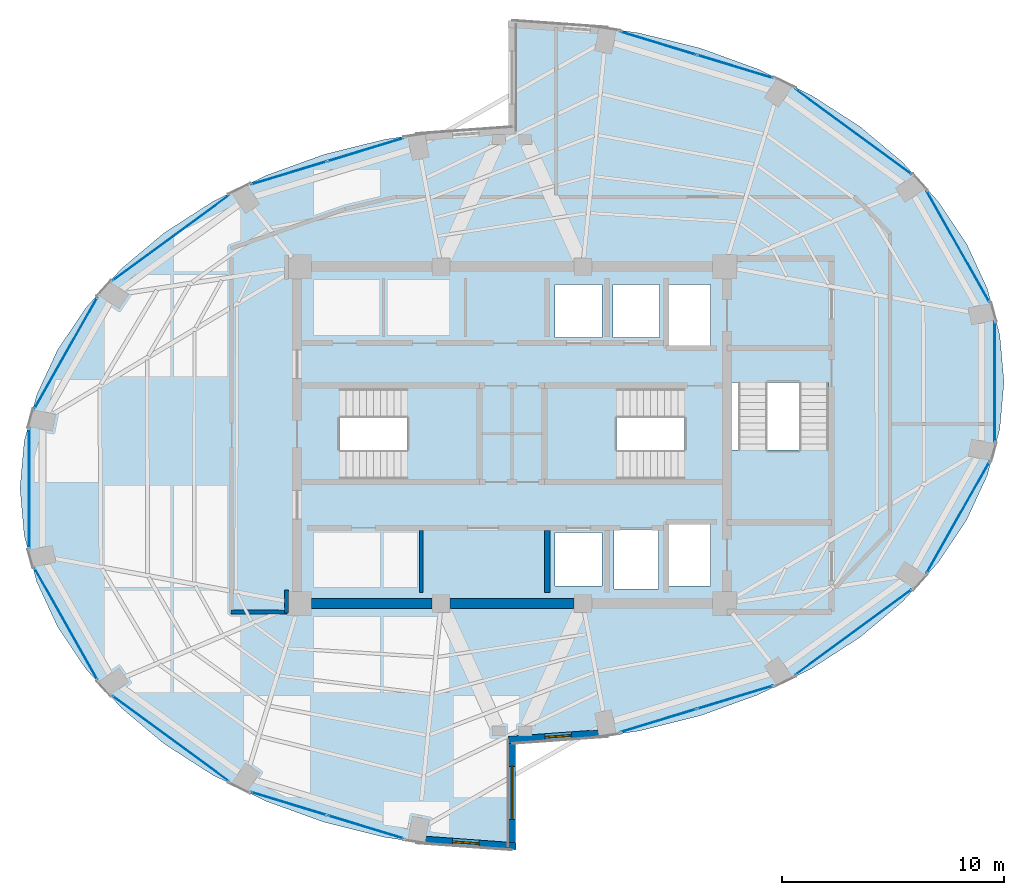
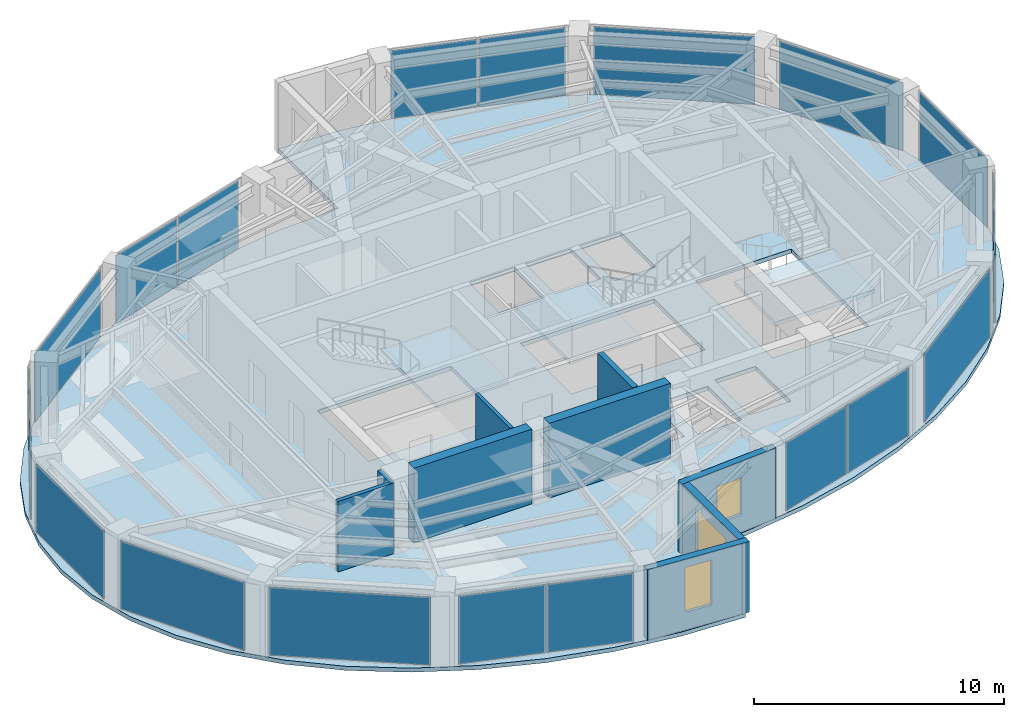
# One storey, part 18 of 22: 18 plates, 9 walls, 4 slabs, 3 windows, 3 openings, 17 elements without a shape of their own.
"""IFC4 building model written with IfcOpenShell, lengths in metres."""

from ifc_helpers import new_model, si_unit, direction, frame, frame_2d, origin, origin_2d, place, context, subcontext, project, spatial, polyline, rectangle, outline, extrude, material, layer, layer_set, type_object, element, fill, aggregate, save


model = new_model("IFC4")

# Units and contexts
model_context = context("Model", 3, precision=1e-05, world=origin(), true_north=direction((0.0, 1.0)))
body_context = subcontext(model_context, "Body", "Model", "MODEL_VIEW")
ifc_project = project(units=[si_unit("LENGTHUNIT", "METRE"), si_unit("AREAUNIT", "SQUARE_METRE"), si_unit("VOLUMEUNIT", "CUBIC_METRE"), si_unit("PLANEANGLEUNIT", "RADIAN"), si_unit("MASSUNIT", "GRAM", prefix="KILO")], contexts=[model_context])

# Site, building, storey
site_placement = place(None, origin())
site = spatial("IfcSite", under=ifc_project, at=site_placement, CompositionType="ELEMENT")
building_placement = place(site_placement, origin())
building = spatial("IfcBuilding", under=site, at=building_placement, Name="Lazwardi Medical Tower", CompositionType="ELEMENT")
storey_placement = place(building_placement, frame((0.0, 0.0, 258.672119140625)))
storey = spatial("IfcBuildingStorey", under=building, at=storey_placement, Name="L67", CompositionType="ELEMENT", Elevation=258.672119140625)

# Curtain wall, plates
ifc_material_1 = material(Name="Anodised bronze aluminium and solar control glazing", Category="aluminium")
ifc_layer_1 = layer(ifc_material_1, 0.18994140625)
ifc_layer_set_1 = layer_set([ifc_layer_1], Name="Anodised bronze aluminium and solar control glazing")
curtain_wall_type = type_object("IfcCurtainWallType", Name="CW-SYS-04", PredefinedType="NOTDEFINED", material=ifc_layer_set_1)
curtain_wall_1_placement = place(storey_placement, origin())
curtain_wall_1 = element("IfcCurtainWall", 1, at=curtain_wall_1_placement, inside=storey, type_object=curtain_wall_type, Name="L67 Unitised bronze curtain wall CW-04", PredefinedType="NOTDEFINED")
ifc_material_2 = material(Name="Low-e bronze solar control double glazing", Category="glass")
ifc_layer_2 = layer(ifc_material_2, 0.035888671875)
ifc_layer_set_2 = layer_set([ifc_layer_2], Name="Low-e bronze solar control double glazing")
plate_type = type_object("IfcPlateType", Name="PLT-GLZ-01", PredefinedType="CURTAIN_PANEL", material=ifc_layer_set_2)
plate_1_placement = place(storey_placement, frame((42.604736328125, 15.118896484375, 0.06494140625), z_axis=(0.0, 0.0, 1.0), x_axis=(0.956850126972, 0.290581889515, 0.0)))
plate_1 = element("IfcPlate", 2, at=plate_1_placement, type_object=plate_type, Name="CW-04 panel 1.1", PredefinedType="CURTAIN_PANEL", context=body_context, shape_type="SweptSolid", body=[
    extrude(rectangle(XDim=3.554443359375, YDim=0.035888671875, at=origin_2d()), origin(), (0.0, 0.0, 1.0), 3.318115234375),
])
plate_2_placement = place(storey_placement, frame((46.068115234375, 16.170654296875, 0.06494140625), z_axis=(0.0, 0.0, 1.0), x_axis=(0.956850126972, 0.290581889515, 0.0)))
plate_2 = element("IfcPlate", 3, at=plate_2_placement, type_object=plate_type, Name="CW-04 panel 2.1", PredefinedType="CURTAIN_PANEL", context=body_context, shape_type="SweptSolid", body=[
    extrude(rectangle(XDim=3.554443359375, YDim=0.035888671875, at=origin_2d()), origin(), (0.0, 0.0, 1.0), 3.318115234375),
])
aggregate(curtain_wall_1, [plate_1, plate_2])

# Curtain wall, plate
curtain_wall_2_placement = place(storey_placement, origin())
curtain_wall_2 = element("IfcCurtainWall", 4, at=curtain_wall_2_placement, inside=storey, type_object=curtain_wall_type, Name="L67 Unitised bronze curtain wall CW-04", PredefinedType="NOTDEFINED")
plate_3_placement = place(storey_placement, frame((51.403564453125, 19.106689453125, 0.06494140625), z_axis=(0.0, 0.0, 1.0), x_axis=(0.806474971121, 0.591268230971, 0.0)))
plate_3 = element("IfcPlate", 5, at=plate_3_placement, type_object=plate_type, Name="CW-04 panel 1.1", PredefinedType="CURTAIN_PANEL", context=body_context, shape_type="SweptSolid", body=[
    extrude(rectangle(XDim=6.502685546875, YDim=0.035888671875, at=origin_2d()), origin(), (0.0, 0.0, 1.0), 3.318115234375),
])
aggregate(curtain_wall_2, [plate_3])

curtain_wall_3_placement = place(storey_placement, origin())
curtain_wall_3 = element("IfcCurtainWall", 6, at=curtain_wall_3_placement, inside=storey, type_object=curtain_wall_type, Name="L67 Unitised bronze curtain wall CW-04", PredefinedType="NOTDEFINED")
plate_4_placement = place(storey_placement, frame((56.125732421875, 24.2880859375, 0.06494140625), z_axis=(0.0, 0.0, 1.0), x_axis=(0.491900474661, 0.870651436011, 0.0)))
plate_4 = element("IfcPlate", 7, at=plate_4_placement, type_object=plate_type, Name="CW-04 panel 1.1", PredefinedType="CURTAIN_PANEL", context=body_context, shape_type="SweptSolid", body=[
    extrude(rectangle(XDim=5.755126953125, YDim=0.035888671875, at=origin_2d()), origin(), (0.0, 0.0, 1.0), 3.318115234375),
])
aggregate(curtain_wall_3, [plate_4])

curtain_wall_4_placement = place(storey_placement, origin())
curtain_wall_4 = element("IfcCurtainWall", 8, at=curtain_wall_4_placement, inside=storey, type_object=curtain_wall_type, Name="L67 Unitised bronze curtain wall CW-04", PredefinedType="NOTDEFINED")
plate_5_placement = place(storey_placement, frame((57.7841796875, 30.39990234375, 0.06494140625), z_axis=(0.0, 0.0, 1.0), x_axis=(0.0, 1.0, 0.0)))
plate_5 = element("IfcPlate", 9, at=plate_5_placement, type_object=plate_type, Name="CW-04 panel 1.1", PredefinedType="CURTAIN_PANEL", context=body_context, shape_type="SweptSolid", body=[
    extrude(rectangle(XDim=5.416015625, YDim=0.035888671875, at=origin_2d()), origin(), (0.0, 0.0, 1.0), 3.318115234375),
])
aggregate(curtain_wall_4, [plate_5])

curtain_wall_5_placement = place(storey_placement, origin())
curtain_wall_5 = element("IfcCurtainWall", 10, at=curtain_wall_5_placement, inside=storey, type_object=curtain_wall_type, Name="L67 Unitised bronze curtain wall CW-04", PredefinedType="NOTDEFINED")
plate_6_placement = place(storey_placement, frame((56.125732421875, 36.511962890625, 0.06494140625), z_axis=(0.0, 0.0, 1.0), x_axis=(-0.491900474661, 0.870651436011, 0.0)))
plate_6 = element("IfcPlate", 11, at=plate_6_placement, type_object=plate_type, Name="CW-04 panel 1.1", PredefinedType="CURTAIN_PANEL", context=body_context, shape_type="SweptSolid", body=[
    extrude(rectangle(XDim=5.755126953125, YDim=0.035888671875, at=origin_2d()), origin(), (0.0, 0.0, 1.0), 3.318115234375),
])
aggregate(curtain_wall_5, [plate_6])

curtain_wall_6_placement = place(storey_placement, origin())
curtain_wall_6 = element("IfcCurtainWall", 12, at=curtain_wall_6_placement, inside=storey, type_object=curtain_wall_type, Name="L67 Unitised bronze curtain wall CW-04", PredefinedType="NOTDEFINED")
plate_7_placement = place(storey_placement, frame((51.403564453125, 41.693359375, 0.06494140625), z_axis=(0.0, 0.0, 1.0), x_axis=(-0.806474971121, 0.591268230971, 0.0)))
plate_7 = element("IfcPlate", 13, at=plate_7_placement, type_object=plate_type, Name="CW-04 panel 1.1", PredefinedType="CURTAIN_PANEL", context=body_context, shape_type="SweptSolid", body=[
    extrude(rectangle(XDim=6.502685546875, YDim=0.035888671875, at=origin_2d()), origin(), (0.0, 0.0, 1.0), 3.318115234375),
])
aggregate(curtain_wall_6, [plate_7])

# Curtain wall, plates
curtain_wall_7_placement = place(storey_placement, origin())
curtain_wall_7 = element("IfcCurtainWall", 14, at=curtain_wall_7_placement, inside=storey, type_object=curtain_wall_type, Name="L67 Unitised bronze curtain wall CW-04", PredefinedType="NOTDEFINED")
plate_8_placement = place(storey_placement, frame((46.068115234375, 44.62939453125, 0.06494140625), z_axis=(0.0, 0.0, 1.0), x_axis=(-0.956850126972, 0.290581889515, 0.0)))
plate_8 = element("IfcPlate", 15, at=plate_8_placement, type_object=plate_type, Name="CW-04 panel 1.1", PredefinedType="CURTAIN_PANEL", context=body_context, shape_type="SweptSolid", body=[
    extrude(rectangle(XDim=3.554443359375, YDim=0.035888671875, at=origin_2d()), origin(), (0.0, 0.0, 1.0), 3.318115234375),
])
plate_9_placement = place(storey_placement, frame((42.604736328125, 45.68115234375, 0.06494140625), z_axis=(0.0, 0.0, 1.0), x_axis=(-0.956850126972, 0.290581889515, 0.0)))
plate_9 = element("IfcPlate", 16, at=plate_9_placement, type_object=plate_type, Name="CW-04 panel 2.1", PredefinedType="CURTAIN_PANEL", context=body_context, shape_type="SweptSolid", body=[
    extrude(rectangle(XDim=3.554443359375, YDim=0.035888671875, at=origin_2d()), origin(), (0.0, 0.0, 1.0), 3.318115234375),
])
aggregate(curtain_wall_7, [plate_8, plate_9])

curtain_wall_8_placement = place(storey_placement, origin())
curtain_wall_8 = element("IfcCurtainWall", 17, at=curtain_wall_8_placement, inside=storey, type_object=curtain_wall_type, Name="L67 Unitised bronze curtain wall CW-04", PredefinedType="NOTDEFINED")
plate_10_placement = place(storey_placement, frame((29.395263671875, 40.881103515625, 0.06494140625), z_axis=(0.0, 0.0, 1.0), x_axis=(-0.956850126972, -0.290581889515, 0.0)))
plate_10 = element("IfcPlate", 18, at=plate_10_placement, type_object=plate_type, Name="CW-04 panel 1.1", PredefinedType="CURTAIN_PANEL", context=body_context, shape_type="SweptSolid", body=[
    extrude(rectangle(XDim=3.554443359375, YDim=0.035888671875, at=origin_2d()), origin(), (0.0, 0.0, 1.0), 3.318115234375),
])
plate_11_placement = place(storey_placement, frame((25.931884765625, 39.829345703125, 0.06494140625), z_axis=(0.0, 0.0, 1.0), x_axis=(-0.956850126972, -0.290581889515, 0.0)))
plate_11 = element("IfcPlate", 19, at=plate_11_placement, type_object=plate_type, Name="CW-04 panel 2.1", PredefinedType="CURTAIN_PANEL", context=body_context, shape_type="SweptSolid", body=[
    extrude(rectangle(XDim=3.554443359375, YDim=0.035888671875, at=origin_2d()), origin(), (0.0, 0.0, 1.0), 3.318115234375),
])
aggregate(curtain_wall_8, [plate_10, plate_11])

# Curtain wall, plate
curtain_wall_9_placement = place(storey_placement, origin())
curtain_wall_9 = element("IfcCurtainWall", 20, at=curtain_wall_9_placement, inside=storey, type_object=curtain_wall_type, Name="L67 Unitised bronze curtain wall CW-04", PredefinedType="NOTDEFINED")
plate_12_placement = place(storey_placement, frame((20.596435546875, 36.893310546875, 0.06494140625), z_axis=(0.0, 0.0, 1.0), x_axis=(-0.806474971121, -0.591268230971, 0.0)))
plate_12 = element("IfcPlate", 21, at=plate_12_placement, type_object=plate_type, Name="CW-04 panel 1.1", PredefinedType="CURTAIN_PANEL", context=body_context, shape_type="SweptSolid", body=[
    extrude(rectangle(XDim=6.502685546875, YDim=0.035888671875, at=origin_2d()), origin(), (0.0, 0.0, 1.0), 3.318115234375),
])
aggregate(curtain_wall_9, [plate_12])

curtain_wall_10_placement = place(storey_placement, origin())
curtain_wall_10 = element("IfcCurtainWall", 22, at=curtain_wall_10_placement, inside=storey, type_object=curtain_wall_type, Name="L67 Unitised bronze curtain wall CW-04", PredefinedType="NOTDEFINED")
plate_13_placement = place(storey_placement, frame((15.874267578125, 31.7119140625, 0.06494140625), z_axis=(0.0, 0.0, 1.0), x_axis=(-0.491900474661, -0.870651436011, 0.0)))
plate_13 = element("IfcPlate", 23, at=plate_13_placement, type_object=plate_type, Name="CW-04 panel 1.1", PredefinedType="CURTAIN_PANEL", context=body_context, shape_type="SweptSolid", body=[
    extrude(rectangle(XDim=5.755126953125, YDim=0.035888671875, at=origin_2d()), origin(), (0.0, 0.0, 1.0), 3.318115234375),
])
aggregate(curtain_wall_10, [plate_13])

curtain_wall_11_placement = place(storey_placement, origin())
curtain_wall_11 = element("IfcCurtainWall", 24, at=curtain_wall_11_placement, inside=storey, type_object=curtain_wall_type, Name="L67 Unitised bronze curtain wall CW-04", PredefinedType="NOTDEFINED")
plate_14_placement = place(storey_placement, frame((14.2158203125, 25.60009765625, 0.06494140625), z_axis=(0.0, 0.0, 1.0), x_axis=(0.0, -1.0, 0.0)))
plate_14 = element("IfcPlate", 25, at=plate_14_placement, type_object=plate_type, Name="CW-04 panel 1.1", PredefinedType="CURTAIN_PANEL", context=body_context, shape_type="SweptSolid", body=[
    extrude(rectangle(XDim=5.416015625, YDim=0.035888671875, at=origin_2d()), origin(), (0.0, 0.0, 1.0), 3.318115234375),
])
aggregate(curtain_wall_11, [plate_14])

curtain_wall_12_placement = place(storey_placement, origin())
curtain_wall_12 = element("IfcCurtainWall", 26, at=curtain_wall_12_placement, inside=storey, type_object=curtain_wall_type, Name="L67 Unitised bronze curtain wall CW-04", PredefinedType="NOTDEFINED")
plate_15_placement = place(storey_placement, frame((15.874267578125, 19.488037109375, 0.06494140625), z_axis=(0.0, 0.0, 1.0), x_axis=(0.491900474661, -0.870651436011, 0.0)))
plate_15 = element("IfcPlate", 27, at=plate_15_placement, type_object=plate_type, Name="CW-04 panel 1.1", PredefinedType="CURTAIN_PANEL", context=body_context, shape_type="SweptSolid", body=[
    extrude(rectangle(XDim=5.755126953125, YDim=0.035888671875, at=origin_2d()), origin(), (0.0, 0.0, 1.0), 3.318115234375),
])
aggregate(curtain_wall_12, [plate_15])

curtain_wall_13_placement = place(storey_placement, origin())
curtain_wall_13 = element("IfcCurtainWall", 28, at=curtain_wall_13_placement, inside=storey, type_object=curtain_wall_type, Name="L67 Unitised bronze curtain wall CW-04", PredefinedType="NOTDEFINED")
plate_16_placement = place(storey_placement, frame((20.596435546875, 14.306640625, 0.06494140625), z_axis=(0.0, 0.0, 1.0), x_axis=(0.806474971121, -0.591268230971, 0.0)))
plate_16 = element("IfcPlate", 29, at=plate_16_placement, type_object=plate_type, Name="CW-04 panel 1.1", PredefinedType="CURTAIN_PANEL", context=body_context, shape_type="SweptSolid", body=[
    extrude(rectangle(XDim=6.502685546875, YDim=0.035888671875, at=origin_2d()), origin(), (0.0, 0.0, 1.0), 3.318115234375),
])
aggregate(curtain_wall_13, [plate_16])

# Curtain wall, plates
curtain_wall_14_placement = place(storey_placement, origin())
curtain_wall_14 = element("IfcCurtainWall", 30, at=curtain_wall_14_placement, inside=storey, type_object=curtain_wall_type, Name="L67 Unitised bronze curtain wall CW-04", PredefinedType="NOTDEFINED")
plate_17_placement = place(storey_placement, frame((25.931884765625, 11.37060546875, 0.06494140625), z_axis=(0.0, 0.0, 1.0), x_axis=(0.956850126972, -0.290581889515, 0.0)))
plate_17 = element("IfcPlate", 31, at=plate_17_placement, type_object=plate_type, Name="CW-04 panel 1.1", PredefinedType="CURTAIN_PANEL", context=body_context, shape_type="SweptSolid", body=[
    extrude(rectangle(XDim=3.554443359375, YDim=0.035888671875, at=origin_2d()), origin(), (0.0, 0.0, 1.0), 3.318115234375),
])
plate_18_placement = place(storey_placement, frame((29.395263671875, 10.31884765625, 0.06494140625), z_axis=(0.0, 0.0, 1.0), x_axis=(0.956850126972, -0.290581889515, 0.0)))
plate_18 = element("IfcPlate", 32, at=plate_18_placement, type_object=plate_type, Name="CW-04 panel 2.1", PredefinedType="CURTAIN_PANEL", context=body_context, shape_type="SweptSolid", body=[
    extrude(rectangle(XDim=3.554443359375, YDim=0.035888671875, at=origin_2d()), origin(), (0.0, 0.0, 1.0), 3.318115234375),
])
aggregate(curtain_wall_14, [plate_17, plate_18])

# Stair, slab
ifc_material_3 = material(Name="Concrete C45/55", Category="concrete")
stair_type = type_object("IfcStairType", Name="STR-WRD", PredefinedType="HALF_TURN_STAIR", material=ifc_material_3)
stair_1_placement = place(storey_placement, origin())
stair_1 = element("IfcStair", 33, at=stair_1_placement, inside=storey, type_object=stair_type, Name="L67 Protected Exit Stair ST1", PredefinedType="HALF_TURN_STAIR")
ifc_layer_3 = layer(ifc_material_3, 0.199951171875)
ifc_layer_set_3 = layer_set([ifc_layer_3], Name="Concrete C45/55")
slab_type_1 = type_object("IfcSlabType", Name="SLB-LND-190", PredefinedType="LANDING", material=ifc_layer_set_3)
slab_1_placement = place(storey_placement, frame((0.0, 0.0, 1.623779296875)))
slab_1 = element("IfcSlab", 34, at=slab_1_placement, type_object=slab_type_1, Name="ST1 landing 1", PredefinedType="LANDING", context=body_context, shape_type="SweptSolid", body=[
    extrude(outline(polyline([(31.27490234375, 25.840087890625), (34.580078125, 25.840087890625), (34.580078125, 30.280029296875), (31.27490234375, 30.280029296875), (31.27490234375, 25.840087890625)])), origin(), (0.0, 0.0, 1.0), 0.2001953125),
])
aggregate(stair_1, [slab_1])

stair_2_placement = place(storey_placement, origin())
stair_2 = element("IfcStair", 35, at=stair_2_placement, inside=storey, type_object=stair_type, Name="L67 Protected Exit Stair ST2", PredefinedType="HALF_TURN_STAIR")
slab_2_placement = place(storey_placement, frame((0.0, 0.0, 1.623779296875)))
slab_2 = element("IfcSlab", 36, at=slab_2_placement, type_object=slab_type_1, Name="ST2 landing 1", PredefinedType="LANDING", context=body_context, shape_type="SweptSolid", body=[
    extrude(outline(polyline([(40.72509765625, 30.280029296875), (37.419921875, 30.280029296875), (37.419921875, 25.840087890625), (40.72509765625, 25.840087890625), (40.72509765625, 30.280029296875)])), origin(), (0.0, 0.0, 1.0), 0.2001953125),
])
aggregate(stair_2, [slab_2])

stair_3_placement = place(storey_placement, origin())
stair_3 = element("IfcStair", 37, at=stair_3_placement, inside=storey, type_object=stair_type, Name="L67 Protected Exit Stair ST3", PredefinedType="HALF_TURN_STAIR")
slab_3_placement = place(storey_placement, frame((0.0, 0.0, 1.623779296875)))
slab_3 = element("IfcSlab", 38, at=slab_3_placement, type_object=slab_type_1, Name="ST3 landing 1", PredefinedType="LANDING", context=body_context, shape_type="SweptSolid", body=[
    extrude(outline(polyline([(45.860107421875, 27.324951171875), (45.860107421875, 24.02001953125), (50.4599609375, 24.02001953125), (50.4599609375, 27.324951171875), (45.860107421875, 27.324951171875)])), origin(), (0.0, 0.0, 1.0), 0.2001953125),
])
aggregate(stair_3, [slab_3])

# Slab
ifc_material_4 = material(Name="Concrete C50/60", Category="concrete")
ifc_layer_4 = layer(ifc_material_4, 0.199951171875)
ifc_layer_set_4 = layer_set([ifc_layer_4], Name="Concrete C50/60")
slab_type_2 = type_object("IfcSlabType", Name="SLB-UPP-200", PredefinedType="FLOOR", material=ifc_layer_set_4)
slab_4_placement = place(storey_placement, frame((0.0, 0.0, -0.2001953125)))
element("IfcSlab", 39, at=slab_4_placement, inside=storey, type_object=slab_type_2, Name="Structural floor slab SF-04 L67", PredefinedType="FLOOR", context=body_context, shape_type="SweptSolid", body=[
    extrude(outline(polyline([(18.3876953125, 15.67724609375), (20.30224609375, 14.07421875), (22.485595703125, 12.668212890625), (24.89990234375, 11.48388671875), (27.50439453125, 10.540771484375), (30.254150390625, 9.85546875), (33.102294921875, 9.439453125), (36.0, 9.300048828125), (36.0, 14.10009765625), (38.897705078125, 14.239501953125), (41.745849609375, 14.655517578125), (44.49560546875, 15.3408203125), (47.10009765625, 16.28369140625), (49.514404296875, 17.46826171875), (51.69775390625, 18.874267578125), (53.6123046875, 20.477294921875), (55.225830078125, 22.25), (56.510009765625, 24.162353515625), (57.443603515625, 26.18115234375), (58.010009765625, 28.2724609375), (58.199951171875, 30.39990234375), (58.010009765625, 32.527587890625), (57.443603515625, 34.618896484375), (56.510009765625, 36.6376953125), (55.225830078125, 38.550048828125), (53.6123046875, 40.32275390625), (51.69775390625, 41.92578125), (49.514404296875, 43.331787109375), (47.10009765625, 44.51611328125), (44.49560546875, 45.459228515625), (41.745849609375, 46.14453125), (38.897705078125, 46.560546875), (36.0, 46.699951171875), (36.0, 41.89990234375), (33.102294921875, 41.760498046875), (30.254150390625, 41.344482421875), (27.50439453125, 40.6591796875), (24.89990234375, 39.71630859375), (22.485595703125, 38.53173828125), (20.30224609375, 37.125732421875), (18.3876953125, 35.522705078125), (16.774169921875, 33.75), (15.489990234375, 31.837646484375), (14.556396484375, 29.81884765625), (13.989990234375, 27.7275390625), (13.800048828125, 25.60009765625), (13.989990234375, 23.472412109375), (14.556396484375, 21.381103515625), (15.489990234375, 19.3623046875), (16.774169921875, 17.449951171875), (18.3876953125, 15.67724609375)]), holes=[polyline([(28.22509765625, 26.02001953125), (28.22509765625, 30.10009765625), (34.39990234375, 30.10009765625), (34.39990234375, 26.02001953125), (28.22509765625, 26.02001953125)]), polyline([(37.60009765625, 30.10009765625), (43.77490234375, 30.10009765625), (43.77490234375, 26.02001953125), (37.60009765625, 26.02001953125), (37.60009765625, 30.10009765625)]), polyline([(50.280029296875, 30.375), (50.280029296875, 24.179931640625), (45.840087890625, 24.179931640625), (45.840087890625, 30.375), (50.280029296875, 30.375)]), polyline([(40.050048828125, 32.39990234375), (37.949951171875, 32.39990234375), (37.949951171875, 34.800048828125), (40.050048828125, 34.800048828125), (40.050048828125, 32.39990234375)]), polyline([(40.550048828125, 32.39990234375), (40.550048828125, 34.800048828125), (42.64990234375, 34.800048828125), (42.64990234375, 32.39990234375), (40.550048828125, 32.39990234375)]), polyline([(37.949951171875, 23.60009765625), (40.050048828125, 23.60009765625), (40.050048828125, 21.199951171875), (37.949951171875, 21.199951171875), (37.949951171875, 23.60009765625)]), polyline([(44.949951171875, 34.800048828125), (44.949951171875, 32.0), (43.050048828125, 32.0), (43.050048828125, 34.800048828125), (44.949951171875, 34.800048828125)]), polyline([(44.949951171875, 21.199951171875), (43.050048828125, 21.199951171875), (43.050048828125, 24.0), (44.949951171875, 24.0), (44.949951171875, 21.199951171875)]), polyline([(40.60009765625, 21.050048828125), (40.60009765625, 23.75), (42.60009765625, 23.75), (42.60009765625, 21.050048828125), (40.60009765625, 21.050048828125)])]), origin(), (0.0, 0.0, 1.0), 0.2001953125),
])

# Walls
ifc_material_5 = material(Name="Fire-rated gypsum board on steel stud", Category="steel")
ifc_layer_5 = layer(ifc_material_5, 0.179931640625)
ifc_layer_set_5 = layer_set([ifc_layer_5], Name="Fire-rated gypsum board on steel stud")
wall_type_1 = type_object("IfcWallType", Name="WL-COR-180", PredefinedType="PARTITIONING", material=ifc_layer_set_5)
wall_1_placement = place(storey_placement, frame((25.830078125, 21.010009765625, 0.0), z_axis=(0.0, 0.0, 1.0), x_axis=(0.0, -1.0, 0.0)))
element("IfcWall", 40, at=wall_1_placement, inside=storey, type_object=wall_type_1, Name="L67 Corridor partition 8", PredefinedType="PARTITIONING", context=body_context, shape_type="SweptSolid", body=[
    extrude(rectangle(XDim=1.030029296875, YDim=0.179931640625, at=frame_2d((0.51513671875, 0.0))), origin(), (0.0, 0.0, 1.0), 3.447998046875),
])
wall_2_placement = place(storey_placement, frame((25.8701171875, 20.02001953125, 0.0), z_axis=(0.0, 0.0, 1.0), x_axis=(-1.0, 0.0, 0.0)))
element("IfcWall", 41, at=wall_2_placement, inside=storey, type_object=wall_type_1, Name="L67 Corridor partition 9", PredefinedType="PARTITIONING", context=body_context, shape_type="SweptSolid", body=[
    extrude(rectangle(XDim=2.56005859375, YDim=0.179931640625, at=frame_2d((1.280029296875, 0.0))), origin(), (0.0, 0.0, 1.0), 3.447998046875),
])
ifc_material_6 = material(Name="Concrete C60/75", Category="concrete")
ifc_layer_6 = layer(ifc_material_6, 0.449951171875)
ifc_layer_set_6 = layer_set([ifc_layer_6], Name="Concrete C60/75")
wall_type_2 = type_object("IfcWallType", Name="WL-CORE-450", PredefinedType="SHEAR", material=ifc_layer_set_6)
wall_3_placement = place(storey_placement, frame((26.949951171875, 20.39990234375, 0.0), z_axis=(0.0, 0.0, 1.0), x_axis=(1.0, 0.0, 0.0)))
element("IfcWall", 42, at=wall_3_placement, inside=storey, type_object=wall_type_2, Name="Core wall CW-S4 S1 L67", PredefinedType="SHEAR", context=body_context, shape_type="SweptSolid", body=[
    extrude(rectangle(XDim=5.449951171875, YDim=0.449951171875, at=frame_2d((2.72509765625, 0.0))), origin(), (0.0, 0.0, 1.0), 3.64794921875),
])
wall_4_placement = place(storey_placement, frame((33.199951171875, 20.39990234375, 0.0), z_axis=(0.0, 0.0, 1.0), x_axis=(1.0, 0.0, 0.0)))
element("IfcWall", 43, at=wall_4_placement, inside=storey, type_object=wall_type_2, Name="Core wall CW-S4 S2 L67", PredefinedType="SHEAR", context=body_context, shape_type="SweptSolid", body=[
    extrude(rectangle(XDim=5.60009765625, YDim=0.449951171875, at=frame_2d((2.800048828125, 0.0))), origin(), (0.0, 0.0, 1.0), 3.64794921875),
])

# Wall, opening, window
ifc_material_7 = material(Name="Precast concrete C45/55", Category="concrete")
ifc_layer_7 = layer(ifc_material_7, 0.320068359375)
ifc_layer_set_7 = layer_set([ifc_layer_7], Name="Precast concrete C45/55")
wall_type_3 = type_object("IfcWallType", Name="WL-IWAN-320", PredefinedType="SOLIDWALL", material=ifc_layer_set_7)
wall_5_placement = place(storey_placement, frame((35.820556640625, 14.2470703125, 0.0), z_axis=(0.0, 0.0, 1.0), x_axis=(0.997409061056, 0.071938619141, 0.0)))
wall_5 = element("IfcWall", 44, at=wall_5_placement, inside=storey, type_object=wall_type_3, Name="L67 Iwan Portal Return Wall SE_ret", PredefinedType="SOLIDWALL", context=body_context, shape_type="SweptSolid", body=[
    extrude(rectangle(XDim=4.540771484375, YDim=0.320068359375, at=frame_2d((2.2705078125, 0.0))), origin(), (0.0, 0.0, 1.0), 3.447998046875),
])
opening_1_placement = place(wall_5_placement, frame((1.67041015625, 0.0, 0.85009765625)))
opening_1 = element("IfcOpeningElement", 45, at=opening_1_placement, cuts=wall_5, Name="Opening WN-04", PredefinedType="OPENING", context=body_context, shape_type="SweptSolid", body=[
    extrude(rectangle(XDim=1.199951171875, YDim=1.800048828125, at=frame_2d((0.60009765625, 0.89990234375))), frame((0.0, 0.169921875, 0.0), z_axis=(0.0, -1.0, 0.0), x_axis=(1.0, 0.0, 0.0)), (0.0, 0.0, 1.0), 0.340087890625),
])
window_type_1 = type_object("IfcWindowType", Name="WIN-DRUM-1200", PartitioningType="SINGLE_PANEL", PredefinedType="WINDOW", material=ifc_material_2)
window_1_placement = place(opening_1_placement, origin())
window_1 = element("IfcWindow", 46, at=window_1_placement, inside=storey, type_object=window_type_1, Name="L67 Iwan Slot Window SE_ret", OverallHeight=1.800048828125, OverallWidth=1.199951171875, PartitioningType="SINGLE_PANEL", PredefinedType="WINDOW", context=body_context, shape_type="SweptSolid", body=[
    extrude(rectangle(XDim=1.199951171875, YDim=1.800048828125, at=frame_2d((0.60009765625, 0.89990234375))), frame((0.0, 0.030029296875, 0.0), z_axis=(0.0, -1.0, 0.0), x_axis=(1.0, 0.0, 0.0)), (0.0, 0.0, 1.0), 0.06005859375),
])
fill(opening_1, window_1)

wall_6_placement = place(storey_placement, frame((31.650390625, 9.773681640625, 0.0), z_axis=(0.0, 0.0, 1.0), x_axis=(0.997408782787, -0.071942477163, 0.0)))
wall_6 = element("IfcWall", 47, at=wall_6_placement, inside=storey, type_object=wall_type_3, Name="L67 Iwan Portal Return Wall SW_ret", PredefinedType="SOLIDWALL", context=body_context, shape_type="SweptSolid", body=[
    extrude(rectangle(XDim=4.54052734375, YDim=0.320068359375, at=frame_2d((2.270263671875, 0.0))), origin(), (0.0, 0.0, 1.0), 3.447998046875),
])
opening_2_placement = place(wall_6_placement, frame((1.67041015625, 0.0, 0.85009765625)))
opening_2 = element("IfcOpeningElement", 48, at=opening_2_placement, cuts=wall_6, Name="Opening WN-01", PredefinedType="OPENING", context=body_context, shape_type="SweptSolid", body=[
    extrude(rectangle(XDim=1.199951171875, YDim=2.199951171875, at=frame_2d((0.60009765625, 1.10009765625))), frame((0.0, 0.169921875, 0.0), z_axis=(0.0, -1.0, 0.0), x_axis=(1.0, 0.0, 0.0)), (0.0, 0.0, 1.0), 0.340087890625),
])
window_type_2 = type_object("IfcWindowType", Name="WIN-IW-1200", PartitioningType="SINGLE_PANEL", PredefinedType="WINDOW", material=ifc_material_2)
window_2_placement = place(opening_2_placement, origin())
window_2 = element("IfcWindow", 49, at=window_2_placement, inside=storey, type_object=window_type_2, Name="L67 Iwan Slot Window SW_ret", OverallHeight=2.199951171875, OverallWidth=1.199951171875, PartitioningType="SINGLE_PANEL", PredefinedType="WINDOW", context=body_context, shape_type="SweptSolid", body=[
    extrude(rectangle(XDim=1.199951171875, YDim=2.199951171875, at=frame_2d((0.60009765625, 1.10009765625))), frame((0.0, 0.030029296875, 0.0), z_axis=(0.0, -1.0, 0.0), x_axis=(1.0, 0.0, 0.0)), (0.0, 0.0, 1.0), 0.06005859375),
])
fill(opening_2, window_2)

wall_7_placement = place(storey_placement, frame((36.0, 9.300048828125, 0.0), z_axis=(0.0, 0.0, 1.0), x_axis=(0.0, 1.0, 0.0)))
wall_7 = element("IfcWall", 50, at=wall_7_placement, inside=storey, type_object=wall_type_3, Name="L67 Turquoise Tilework Iwan Seam Wall S_seam", PredefinedType="SOLIDWALL", context=body_context, shape_type="SweptSolid", body=[
    extrude(rectangle(XDim=5.119873046875, YDim=0.320068359375, at=frame_2d((2.56005859375, 0.0))), origin(), (0.0, 0.0, 1.0), 3.447998046875),
])
opening_3_placement = place(wall_7_placement, frame((1.360107421875, 0.0, 0.840087890625)))
opening_3 = element("IfcOpeningElement", 51, at=opening_3_placement, cuts=wall_7, Name="Opening WN-02", PredefinedType="OPENING", context=body_context, shape_type="SweptSolid", body=[
    extrude(rectangle(XDim=2.39990234375, YDim=2.0400390625, at=frame_2d((1.199951171875, 1.02001953125))), frame((0.0, 0.169921875, 0.0), z_axis=(0.0, -1.0, 0.0), x_axis=(1.0, 0.0, 0.0)), (0.0, 0.0, 1.0), 0.340087890625),
])
window_type_3 = type_object("IfcWindowType", Name="WIN-IW-2400", PartitioningType="SINGLE_PANEL", PredefinedType="WINDOW", material=ifc_material_2)
window_3_placement = place(opening_3_placement, origin())
window_3 = element("IfcWindow", 52, at=window_3_placement, inside=storey, type_object=window_type_3, Name="L67 Iwan Seam Window S_seam", OverallHeight=2.0400390625, OverallWidth=2.39990234375, PartitioningType="SINGLE_PANEL", PredefinedType="WINDOW", context=body_context, shape_type="SweptSolid", body=[
    extrude(rectangle(XDim=2.39990234375, YDim=2.0400390625, at=frame_2d((1.199951171875, 1.02001953125))), frame((0.0, 0.030029296875, 0.0), z_axis=(0.0, -1.0, 0.0), x_axis=(1.0, 0.0, 0.0)), (0.0, 0.0, 1.0), 0.06005859375),
])
fill(opening_3, window_3)

# Walls
ifc_material_8 = material(Name="Autoclaved aerated concrete blockwork", Category="masonry")
ifc_layer_8 = layer(ifc_material_8, 0.25)
ifc_layer_set_8 = layer_set([ifc_layer_8], Name="Autoclaved aerated concrete blockwork")
wall_type_4 = type_object("IfcWallType", Name="WL-SHAFT-250", PredefinedType="SOLIDWALL", material=ifc_layer_set_8)
wall_8_placement = place(storey_placement, frame((37.60009765625, 20.89990234375, 0.0), z_axis=(0.0, 0.0, 1.0), x_axis=(0.0, 1.0, 0.0)))
element("IfcWall", 53, at=wall_8_placement, inside=storey, type_object=wall_type_4, Name="L67 South hoistway divider", PredefinedType="SOLIDWALL", context=body_context, shape_type="SweptSolid", body=[
    extrude(rectangle(XDim=2.800048828125, YDim=0.25, at=frame_2d((1.39990234375, 0.0))), origin(), (0.0, 0.0, 1.0), 3.447998046875),
])
ifc_material_9 = material(Name="Acoustic gypsum board partition")
ifc_layer_9 = layer(ifc_material_9, 0.14990234375)
ifc_layer_set_9 = layer_set([ifc_layer_9], Name="Acoustic gypsum board partition")
wall_type_5 = type_object("IfcWallType", Name="WL-WRD-150", PredefinedType="PARTITIONING", material=ifc_layer_set_9)
wall_9_placement = place(storey_placement, frame((31.89990234375, 20.89990234375, 0.0), z_axis=(0.0, 0.0, 1.0), x_axis=(0.0, 1.0, 0.0)))
element("IfcWall", 54, at=wall_9_placement, inside=storey, type_object=wall_type_5, Name="L67 Freed bay2 S split", PredefinedType="PARTITIONING", context=body_context, shape_type="SweptSolid", body=[
    extrude(rectangle(XDim=2.800048828125, YDim=0.14990234375, at=frame_2d((1.39990234375, 0.0))), origin(), (0.0, 0.0, 1.0), 3.447998046875),
])

save(model, "model.ifc")
